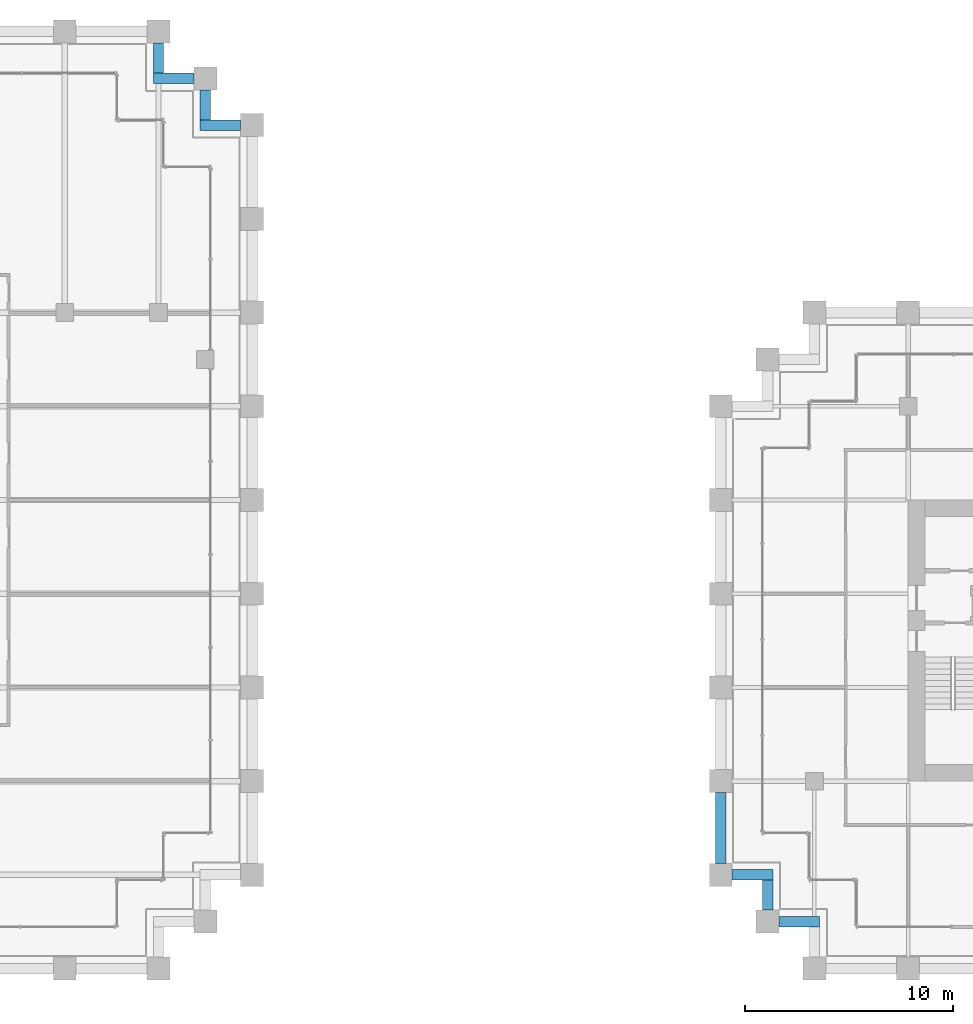
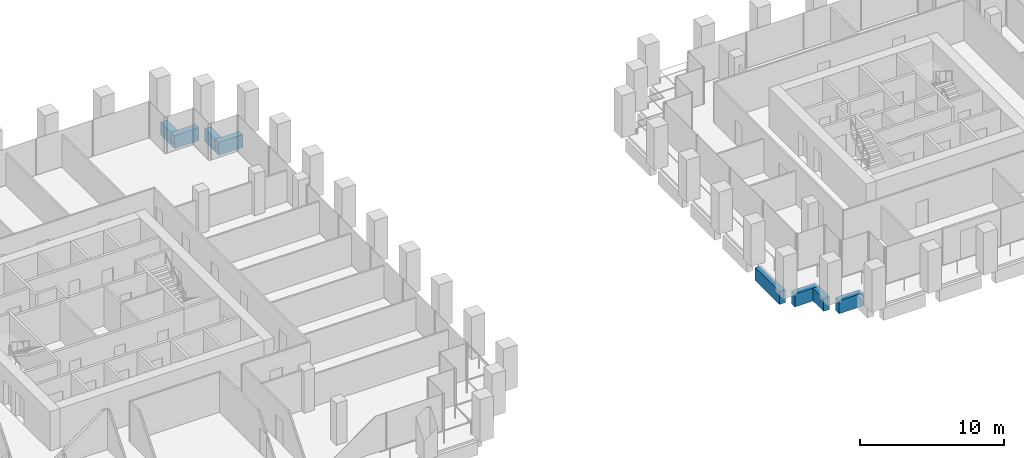
# One storey, part 33 of 56: 8 beams.
"""IFC4 building model written with IfcOpenShell, lengths in metres."""

from ifc_helpers import new_model, si_unit, direction, frame, origin, origin_2d, place, context, subcontext, project, spatial, rectangle, extrude, material, material_profile, profile_set, type_object, element, save


model = new_model("IFC4")

# Units and contexts
model_context = context("Model", 3, precision=1e-05, world=origin(), true_north=direction((0.0, 1.0)))
body_context = subcontext(model_context, "Body", "Model", "MODEL_VIEW")
ifc_project = project(units=[si_unit("LENGTHUNIT", "METRE"), si_unit("AREAUNIT", "SQUARE_METRE"), si_unit("VOLUMEUNIT", "CUBIC_METRE"), si_unit("PLANEANGLEUNIT", "RADIAN"), si_unit("MASSUNIT", "GRAM", prefix="KILO")], contexts=[model_context])

# Site, building, storey
site_placement = place(None, origin())
site = spatial("IfcSite", under=ifc_project, at=site_placement, CompositionType="ELEMENT")
building_placement = place(site_placement, origin())
building = spatial("IfcBuilding", under=site, at=building_placement, Name="Altepetl Exchange Towers", CompositionType="ELEMENT")
storey_placement = place(building_placement, frame((0.0, 0.0, 69.0)))
storey = spatial("IfcBuildingStorey", under=building, at=storey_placement, Name="L16", CompositionType="ELEMENT", Elevation=69.0)

# Beams
ifc_material_1 = material(Name="Concrete C50/60 precast with cantera rosa facing", Category="concrete")
ifc_material_profile_1 = material_profile(ifc_material_1, rectangle(XDim=0.5, YDim=1.10009765625, at=origin_2d()), Name="500 x 1100")
ifc_profile_set_1 = profile_set([ifc_material_profile_1], Name="Concrete C50/60 precast with cantera rosa facing")
beam_type_1 = type_object("IfcBeamType", Name="Spandrel beam 500x1100 cantera rosa", PredefinedType="SPANDREL", material=ifc_profile_set_1)
beam_1_placement = place(storey_placement, frame((71.449951171875, 67.5, -0.699951171875), z_axis=(-1.0, 0.0, 0.0), x_axis=(0.0, -1.0, 0.0)))
element("IfcBeam", 1, at=beam_1_placement, inside=storey, type_object=beam_type_1, Name="sp:A:L16:020", PredefinedType="SPANDREL", context=body_context, shape_type="SweptSolid", body=[
    extrude(rectangle(XDim=0.5, YDim=1.10009765625, at=origin_2d()), origin(), (0.0, 0.0, 1.0), 1.949951171875),
])
beam_2_placement = place(storey_placement, frame((69.75, 67.75, -0.699951171875), z_axis=(0.0, 1.0, 0.0), x_axis=(-1.0, 0.0, 0.0)))
element("IfcBeam", 2, at=beam_2_placement, inside=storey, type_object=beam_type_1, Name="sp:A:L16:021", PredefinedType="SPANDREL", context=body_context, shape_type="SweptSolid", body=[
    extrude(rectangle(XDim=0.5, YDim=1.10009765625, at=origin_2d()), origin(), (0.0, 0.0, 1.0), 1.449951171875),
])
beam_3_placement = place(storey_placement, frame((69.199951171875, 69.75, -0.699951171875), z_axis=(-1.0, 0.0, 0.0), x_axis=(0.0, -1.0, 0.0)))
element("IfcBeam", 3, at=beam_3_placement, inside=storey, type_object=beam_type_1, Name="sp:A:L16:022", PredefinedType="SPANDREL", context=body_context, shape_type="SweptSolid", body=[
    extrude(rectangle(XDim=0.5, YDim=1.10009765625, at=origin_2d()), origin(), (0.0, 0.0, 1.0), 1.949951171875),
])
beam_4_placement = place(storey_placement, frame((67.5, 70.0, -0.699951171875), z_axis=(0.0, 1.0, 0.0), x_axis=(-1.0, 0.0, 0.0)))
element("IfcBeam", 4, at=beam_4_placement, inside=storey, type_object=beam_type_1, Name="sp:A:L16:023", PredefinedType="SPANDREL", context=body_context, shape_type="SweptSolid", body=[
    extrude(rectangle(XDim=0.5, YDim=1.10009765625, at=origin_2d()), origin(), (0.0, 0.0, 1.0), 1.449951171875),
])
ifc_material_2 = material(Name="Concrete C50/60 precast with tezontle facing", Category="concrete")
ifc_material_profile_2 = material_profile(ifc_material_2, rectangle(XDim=0.5, YDim=1.10009765625, at=origin_2d()), Name="500 x 1100")
ifc_profile_set_2 = profile_set([ifc_material_profile_2], Name="Concrete C50/60 precast with tezontle facing")
beam_type_2 = type_object("IfcBeamType", Name="Spandrel beam 500x1100 tezontle", PredefinedType="SPANDREL", material=ifc_profile_set_2)
beam_5_placement = place(storey_placement, frame((94.5, 35.449951171875, -0.699951171875), z_axis=(0.0, -1.0, 0.0), x_axis=(1.0, 0.0, 0.0)))
element("IfcBeam", 5, at=beam_5_placement, inside=storey, type_object=beam_type_2, Name="sp:B:L16:031", PredefinedType="SPANDREL", context=body_context, shape_type="SweptSolid", body=[
    extrude(rectangle(XDim=0.5, YDim=1.10009765625, at=origin_2d()), origin(), (0.0, 0.0, 1.0), 3.39990234375),
])
beam_6_placement = place(storey_placement, frame((95.050048828125, 31.5, -0.699951171875), z_axis=(1.0, 0.0, 0.0), x_axis=(0.0, 1.0, 0.0)))
element("IfcBeam", 6, at=beam_6_placement, inside=storey, type_object=beam_type_2, Name="sp:B:L16:032", PredefinedType="SPANDREL", context=body_context, shape_type="SweptSolid", body=[
    extrude(rectangle(XDim=0.5, YDim=1.10009765625, at=origin_2d()), origin(), (0.0, 0.0, 1.0), 1.949951171875),
])
beam_7_placement = place(storey_placement, frame((96.75, 31.25, -0.699951171875), z_axis=(0.0, -1.0, 0.0), x_axis=(1.0, 0.0, 0.0)))
element("IfcBeam", 7, at=beam_7_placement, inside=storey, type_object=beam_type_2, Name="sp:B:L16:033", PredefinedType="SPANDREL", context=body_context, shape_type="SweptSolid", body=[
    extrude(rectangle(XDim=0.5, YDim=1.10009765625, at=origin_2d()), origin(), (0.0, 0.0, 1.0), 1.449951171875),
])
beam_8_placement = place(storey_placement, frame((97.300048828125, 29.25, -0.699951171875), z_axis=(1.0, 0.0, 0.0), x_axis=(0.0, 1.0, 0.0)))
element("IfcBeam", 8, at=beam_8_placement, inside=storey, type_object=beam_type_2, Name="sp:B:L16:034", PredefinedType="SPANDREL", context=body_context, shape_type="SweptSolid", body=[
    extrude(rectangle(XDim=0.5, YDim=1.10009765625, at=origin_2d()), origin(), (0.0, 0.0, 1.0), 1.949951171875),
])

save(model, "model.ifc")
